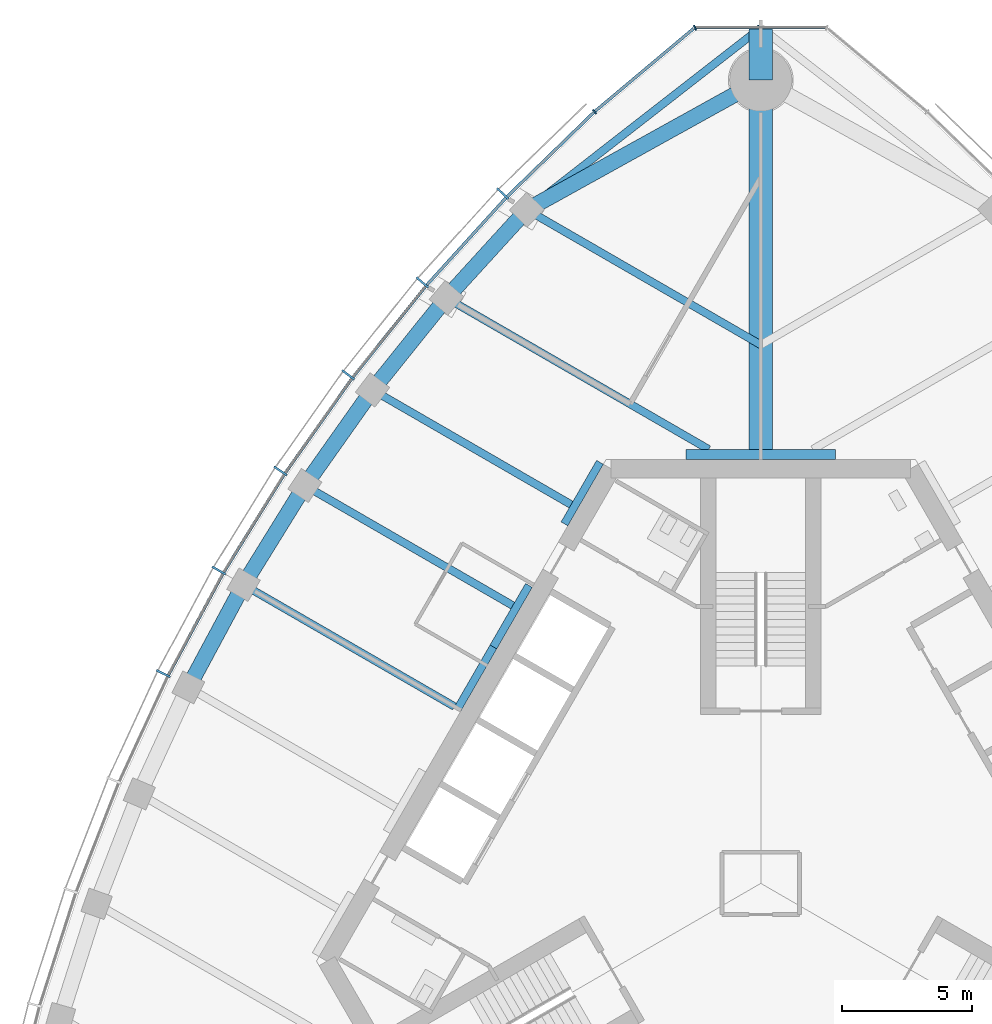
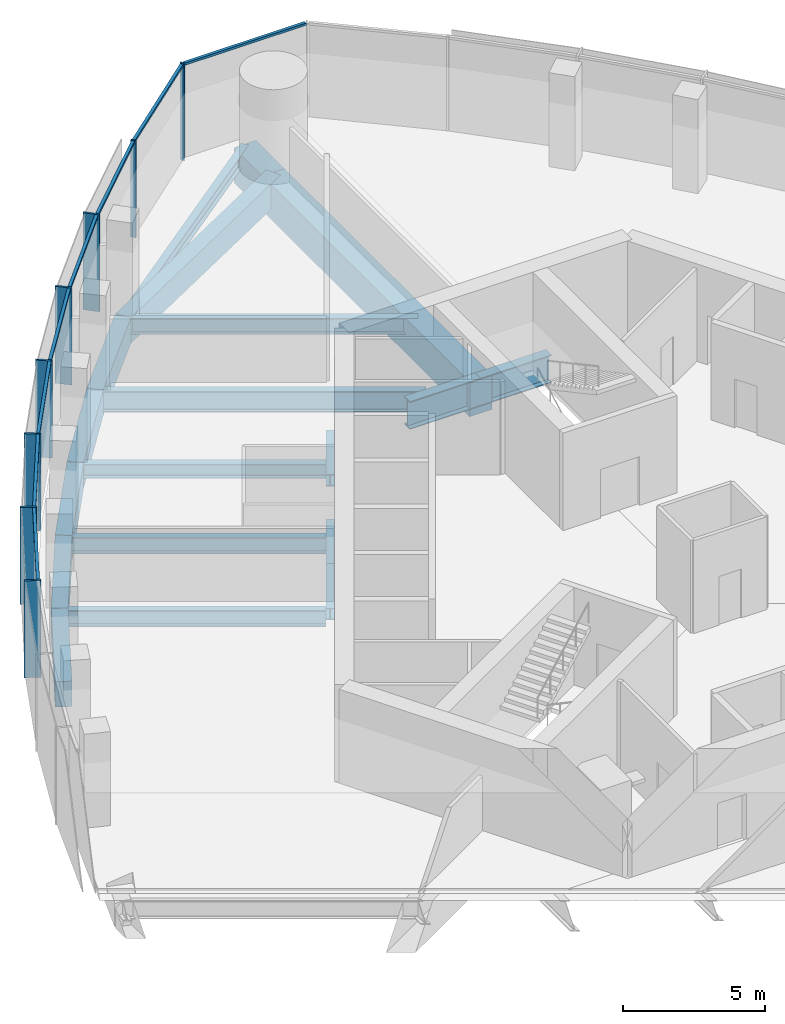
# One storey, part 5 of 16: 19 beams, 16 members, 2 elements without a shape of their own.
"""IFC4 building model written with IfcOpenShell, lengths in metres."""

from ifc_helpers import new_model, si_unit, direction, frame, origin, origin_2d, place, context, subcontext, project, spatial, rectangle, i_section, extrude, material, material_profile, profile_set, type_object, element, aggregate, save


model = new_model("IFC4")

# Units and contexts
model_context = context("Model", 3, precision=1e-05, world=origin(), true_north=direction((0.0, 1.0)))
body_context = subcontext(model_context, "Body", "Model", "MODEL_VIEW")
ifc_project = project(units=[si_unit("LENGTHUNIT", "METRE"), si_unit("AREAUNIT", "SQUARE_METRE"), si_unit("VOLUMEUNIT", "CUBIC_METRE"), si_unit("PLANEANGLEUNIT", "RADIAN"), si_unit("MASSUNIT", "GRAM", prefix="KILO")], contexts=[model_context])

# Site, building, storey
site_placement = place(None, origin())
site = spatial("IfcSite", under=ifc_project, at=site_placement, CompositionType="ELEMENT")
building_placement = place(site_placement, origin())
building = spatial("IfcBuilding", under=site, at=building_placement, Name="Trefoil Bronze Tower", CompositionType="ELEMENT")
storey_placement = place(building_placement, frame((0.0, 0.0, 293.10009765625)))
storey = spatial("IfcBuildingStorey", under=building, at=storey_placement, Name="L67", CompositionType="ELEMENT", Elevation=293.10009765625)

# Curtain wall, members
ifc_material_1 = material(Name="Tinted solar-control glass", Category="glass")
curtain_wall_type_1 = type_object("IfcCurtainWallType", Name="Bronze office curtain wall", PredefinedType="USERDEFINED", material=ifc_material_1)
curtain_wall_1_placement = place(storey_placement, origin())
curtain_wall_1 = element("IfcCurtainWall", 1, at=curtain_wall_1_placement, inside=storey, type_object=curtain_wall_type_1, Name="CW-A L67 F3", ObjectType="CURTAIN WALL", PredefinedType="USERDEFINED")
ifc_material_2 = material(Name="Bronze-finish aluminium", Category="aluminium")
ifc_material_profile_1 = material_profile(ifc_material_2, rectangle(XDim=0.60009765625, YDim=0.080078125, at=origin_2d()), Name="CW-A mullion")
ifc_profile_set_1 = profile_set([ifc_material_profile_1], Name="Bronze-finish aluminium")
member_type_1 = type_object("IfcMemberType", Name="Bronze office curtain wall mullion", PredefinedType="MULLION", material=ifc_profile_set_1)
member_1_placement = place(storey_placement, frame((-9.957275390625, 26.617431640625, 0.0), z_axis=(0.0, 0.0, 1.0), x_axis=(0.719001349715, -0.695008675564, 0.0)))
member_1 = element("IfcMember", 2, at=member_1_placement, type_object=member_type_1, Name="CW-A L67 F3 mullion 2", PredefinedType="MULLION", context=body_context, shape_type="SweptSolid", body=[
    extrude(rectangle(XDim=0.60009765625, YDim=0.080078125, at=origin_2d()), origin(), (0.0, 0.0, 1.0), 4.179931640625),
])
member_2_placement = place(storey_placement, frame((-13.064453125, 23.194091796875, 0.0), z_axis=(0.0, 0.0, 1.0), x_axis=(0.760781190165, -0.649008459646, 0.0)))
member_2 = element("IfcMember", 3, at=member_2_placement, type_object=member_type_1, Name="CW-A L67 F3 mullion 3", PredefinedType="MULLION", context=body_context, shape_type="SweptSolid", body=[
    extrude(rectangle(XDim=0.60009765625, YDim=0.080078125, at=origin_2d()), origin(), (0.0, 0.0, 1.0), 4.179931640625),
])
member_3_placement = place(storey_placement, frame((-15.922607421875, 19.627197265625, 0.0), z_axis=(0.0, 0.0, 1.0), x_axis=(0.799096076136, -0.601203344222, 0.0)))
member_3 = element("IfcMember", 4, at=member_3_placement, type_object=member_type_1, Name="CW-A L67 F3 mullion 4", PredefinedType="MULLION", context=body_context, shape_type="SweptSolid", body=[
    extrude(rectangle(XDim=0.60009765625, YDim=0.080078125, at=origin_2d()), origin(), (0.0, 0.0, 1.0), 4.179931640625),
])
member_4_placement = place(storey_placement, frame((-18.538330078125, 15.920166015625, 0.0), z_axis=(0.0, 0.0, 1.0), x_axis=(0.834159158089, -0.551523797289, 0.0)))
member_4 = element("IfcMember", 5, at=member_4_placement, type_object=member_type_1, Name="CW-A L67 F3 mullion 5", PredefinedType="MULLION", context=body_context, shape_type="SweptSolid", body=[
    extrude(rectangle(XDim=0.60009765625, YDim=0.080078125, at=origin_2d()), origin(), (0.0, 0.0, 1.0), 4.179931640625),
])
member_5_placement = place(storey_placement, frame((-20.916015625, 12.07568359375, 0.0), z_axis=(0.0, 0.0, 1.0), x_axis=(0.866025403784, -0.5, 0.0)))
member_5 = element("IfcMember", 6, at=member_5_placement, type_object=member_type_1, Name="CW-A L67 F3 mullion 6", PredefinedType="MULLION", context=body_context, shape_type="SweptSolid", body=[
    extrude(rectangle(XDim=0.60009765625, YDim=0.080078125, at=origin_2d()), origin(), (0.0, 0.0, 1.0), 4.179931640625),
])
member_6_placement = place(storey_placement, frame((-23.056396484375, 8.094482421875, 0.0), z_axis=(0.0, 0.0, 1.0), x_axis=(0.894713198289, -0.44664112306, 0.0)))
member_6 = element("IfcMember", 7, at=member_6_placement, type_object=member_type_1, Name="CW-A L67 F3 mullion 7", PredefinedType="MULLION", context=body_context, shape_type="SweptSolid", body=[
    extrude(rectangle(XDim=0.60009765625, YDim=0.080078125, at=origin_2d()), origin(), (0.0, 0.0, 1.0), 4.179931640625),
])
ifc_material_3 = material(Name="Bronze-finish aluminium", Category="aluminium")
ifc_material_profile_2 = material_profile(ifc_material_3, rectangle(XDim=0.1201171875, YDim=0.10009765625, at=origin_2d()), Name="CW-A transom")
ifc_profile_set_2 = profile_set([ifc_material_profile_2], Name="Bronze-finish aluminium")
member_type_2 = type_object("IfcMemberType", Name="Bronze office curtain wall transom", PredefinedType="USERDEFINED", material=ifc_profile_set_2)
member_7_placement = place(storey_placement, frame((-6.44921875, 29.7470703125, 4.1298828125), z_axis=(-0.717224617883, -0.696842053484, 0.0), x_axis=(0.696842053484, -0.717224617883, 0.0)))
member_7 = element("IfcMember", 8, at=member_7_placement, type_object=member_type_2, Name="CW-A L67 F3 transom 1", ObjectType="TRANSOM", PredefinedType="USERDEFINED", context=body_context, shape_type="SweptSolid", body=[
    extrude(rectangle(XDim=0.1201171875, YDim=0.10009765625, at=origin_2d()), origin(), (0.0, 0.0, 1.0), 4.6474609375),
])
member_8_placement = place(storey_placement, frame((-9.842529296875, 26.446533203125, 4.1298828125), z_axis=(-0.672068269674, -0.740489190264, 0.0), x_axis=(0.740489190264, -0.672068269674, 0.0)))
member_8 = element("IfcMember", 9, at=member_8_placement, type_object=member_type_2, Name="CW-A L67 F3 transom 2", ObjectType="TRANSOM", PredefinedType="USERDEFINED", context=body_context, shape_type="SweptSolid", body=[
    extrude(rectangle(XDim=0.1201171875, YDim=0.10009765625, at=origin_2d()), origin(), (0.0, 0.0, 1.0), 4.5244140625),
])
member_9_placement = place(storey_placement, frame((-12.939208984375, 23.03076171875, 4.1298828125), z_axis=(-0.625300648488, -0.780383943325, 0.0), x_axis=(0.780383943325, -0.625300648488, 0.0)))
member_9 = element("IfcMember", 10, at=member_9_placement, type_object=member_type_2, Name="CW-A L67 F3 transom 3", ObjectType="TRANSOM", PredefinedType="USERDEFINED", context=body_context, shape_type="SweptSolid", body=[
    extrude(rectangle(XDim=0.1201171875, YDim=0.10009765625, at=origin_2d()), origin(), (0.0, 0.0, 1.0), 4.472412109375),
])
member_10_placement = place(storey_placement, frame((-15.78759765625, 19.4716796875, 4.1298828125), z_axis=(-0.5765665752, -0.817050172488, 0.0), x_axis=(0.817050172488, -0.5765665752, 0.0)))
member_10 = element("IfcMember", 11, at=member_10_placement, type_object=member_type_2, Name="CW-A L67 F3 transom 4", ObjectType="TRANSOM", PredefinedType="USERDEFINED", context=body_context, shape_type="SweptSolid", body=[
    extrude(rectangle(XDim=0.1201171875, YDim=0.10009765625, at=origin_2d()), origin(), (0.0, 0.0, 1.0), 4.4384765625),
])
member_11_placement = place(storey_placement, frame((-18.394287109375, 15.7734375, 4.1298828125), z_axis=(-0.525978235299, -0.850498028212, 0.0), x_axis=(0.850498028212, -0.525978235299, 0.0)))
member_11 = element("IfcMember", 12, at=member_11_placement, type_object=member_type_2, Name="CW-A L67 F3 transom 5", ObjectType="TRANSOM", PredefinedType="USERDEFINED", context=body_context, shape_type="SweptSolid", body=[
    extrude(rectangle(XDim=0.1201171875, YDim=0.10009765625, at=origin_2d()), origin(), (0.0, 0.0, 1.0), 4.422119140625),
])
member_12_placement = place(storey_placement, frame((-20.76318359375, 11.93798828125, 4.1298828125), z_axis=(-0.473540024981, -0.880772300167, 0.0), x_axis=(0.880772300167, -0.473540024981, 0.0)))
member_12 = element("IfcMember", 13, at=member_12_placement, type_object=member_type_2, Name="CW-A L67 F3 transom 6", ObjectType="TRANSOM", PredefinedType="USERDEFINED", context=body_context, shape_type="SweptSolid", body=[
    extrude(rectangle(XDim=0.1201171875, YDim=0.10009765625, at=origin_2d()), origin(), (0.0, 0.0, 1.0), 4.422119140625),
])
aggregate(curtain_wall_1, [member_1, member_2, member_3, member_4, member_5, member_6, member_7, member_8, member_9, member_10, member_11, member_12])

ifc_material_4 = material(Name="Tinted solar-control glass", Category="glass")
curtain_wall_type_2 = type_object("IfcCurtainWallType", Name="Bronze rounded corner curtain wall", PredefinedType="USERDEFINED", material=ifc_material_4)
curtain_wall_2_placement = place(storey_placement, origin())
curtain_wall_2 = element("IfcCurtainWall", 14, at=curtain_wall_2_placement, inside=storey, type_object=curtain_wall_type_2, Name="CW-B L67 K2", ObjectType="CURTAIN WALL", PredefinedType="USERDEFINED")
ifc_material_5 = material(Name="Bronze-finish aluminium", Category="aluminium")
ifc_material_profile_3 = material_profile(ifc_material_5, rectangle(XDim=0.199951171875, YDim=0.06005859375, at=origin_2d()), Name="CW-B mullion")
ifc_profile_set_3 = profile_set([ifc_material_profile_3], Name="Bronze-finish aluminium")
member_type_3 = type_object("IfcMemberType", Name="Bronze rounded corner curtain wall mullion", PredefinedType="MULLION", material=ifc_profile_set_3)
member_13_placement = place(storey_placement, frame((-2.542236328125, 33.021484375, 0.0), z_axis=(0.0, 0.0, 1.0), x_axis=(0.342020143326, -0.939692620786, 0.0)))
member_13 = element("IfcMember", 15, at=member_13_placement, type_object=member_type_3, Name="CW-B L67 K2 mullion 3", PredefinedType="MULLION", context=body_context, shape_type="SweptSolid", body=[
    extrude(rectangle(XDim=0.199951171875, YDim=0.06005859375, at=origin_2d()), origin(), (0.0, 0.0, 1.0), 4.179931640625),
])
member_14_placement = place(storey_placement, frame((-6.4150390625, 29.77978515625, 0.0), z_axis=(0.0, 0.0, 1.0), x_axis=(0.642787609687, -0.766044443119, 0.0)))
member_14 = element("IfcMember", 16, at=member_14_placement, type_object=member_type_3, Name="CW-B L67 K2 mullion 4", PredefinedType="MULLION", context=body_context, shape_type="SweptSolid", body=[
    extrude(rectangle(XDim=0.199951171875, YDim=0.06005859375, at=origin_2d()), origin(), (0.0, 0.0, 1.0), 4.179931640625),
])
ifc_material_6 = material(Name="Bronze-finish aluminium", Category="aluminium")
ifc_material_profile_4 = material_profile(ifc_material_6, rectangle(XDim=0.1201171875, YDim=0.10009765625, at=origin_2d()), Name="CW-B transom")
ifc_profile_set_4 = profile_set([ifc_material_profile_4], Name="Bronze-finish aluminium")
member_type_4 = type_object("IfcMemberType", Name="Bronze rounded corner curtain wall transom", PredefinedType="USERDEFINED", material=ifc_profile_set_4)
member_15_placement = place(storey_placement, frame((2.47802734375, 33.027587890625, 4.1298828125), z_axis=(-1.0, 0.0, 0.0), x_axis=(0.0, -1.0, 0.0)))
member_15 = element("IfcMember", 17, at=member_15_placement, type_object=member_type_4, Name="CW-B L67 K2 transom 2", ObjectType="TRANSOM", PredefinedType="USERDEFINED", context=body_context, shape_type="SweptSolid", body=[
    extrude(rectangle(XDim=0.1201171875, YDim=0.10009765625, at=origin_2d()), origin(), (0.0, 0.0, 1.0), 4.9560546875),
])
member_16_placement = place(storey_placement, frame((-2.595458984375, 32.98486328125, 4.1298828125), z_axis=(-0.766040522511, -0.642792282056, 0.0), x_axis=(0.642792282056, -0.766040522511, 0.0)))
member_16 = element("IfcMember", 18, at=member_16_placement, type_object=member_type_4, Name="CW-B L67 K2 transom 3", ObjectType="TRANSOM", PredefinedType="USERDEFINED", context=body_context, shape_type="SweptSolid", body=[
    extrude(rectangle(XDim=0.1201171875, YDim=0.10009765625, at=origin_2d()), origin(), (0.0, 0.0, 1.0), 4.9560546875),
])
aggregate(curtain_wall_2, [member_13, member_14, member_15, member_16])

# Beams
ifc_material_7 = material(Name="Steel C355", Category="steel")
ifc_material_profile_5 = material_profile(ifc_material_7, i_section(OverallWidth=0.300048828125, OverallDepth=0.5, WebThickness=0.014404296875, FlangeThickness=0.028076171875, FilletRadius=0.027099609375, at=origin_2d()), Name="HEB 500")
ifc_profile_set_5 = profile_set([ifc_material_profile_5], Name="Steel C355")
beam_type_1 = type_object("IfcBeamType", Name="Core seat beam HEB 500", PredefinedType="BEAM", material=ifc_profile_set_5)
for number, where, z_axis, x_axis, name in (
    (19, (-6.20654296875, 16.25, -0.4501953125), (-0.499969057507, -0.866043267704, 0.0), (0.866043267704, -0.499969057507, 0.0), "Core seat beam F3/-2 L67"),
    (20, (-8.948974609375, 11.5, -0.4501953125), (-0.499969057507, -0.866043267704, 0.0), (0.866043267704, -0.499969057507, 0.0), "Core seat beam F3/-1 L67"),
    (21, (-10.320068359375, 9.125, -0.4501953125), (-0.500035825175, -0.866004719122, 0.0), (0.866004719122, -0.500035825175, 0.0), "Core seat beam F3/+0 L67"),
):
    element("IfcBeam", number, at=place(storey_placement, frame(where, z_axis=z_axis, x_axis=x_axis)), inside=storey, type_object=beam_type_1, Name=name, PredefinedType="BEAM", context=body_context, shape_type="SweptSolid", body=[
        extrude(i_section(OverallWidth=0.300048828125, OverallDepth=0.5, WebThickness=0.014404296875, FlangeThickness=0.028076171875, FilletRadius=0.027099609375, at=origin_2d()), origin(), (0.0, 0.0, 1.0), 2.742431640625),
    ])
ifc_material_8 = material(Name="Steel C355", Category="steel")
ifc_material_profile_6 = material_profile(ifc_material_8, i_section(OverallWidth=0.39990234375, OverallDepth=1.199951171875, WebThickness=0.02001953125, FlangeThickness=0.0400390625, FilletRadius=0.010009765625, at=origin_2d()), Name="WPG 1200")
ifc_profile_set_6 = profile_set([ifc_material_profile_6], Name="Steel C355")
beam_type_2 = type_object("IfcBeamType", Name="Core seat beam WPG 1200", PredefinedType="BEAM", material=ifc_profile_set_6)
for number, where, z_axis, x_axis, name in (
    (22, (2.88671875, 16.550048828125, -0.800048828125), (-1.0, 0.0, 0.0), (0.0, -1.0, 0.0), "Core seat beam F2/+3 L67"),
    (23, (0.0, 16.550048828125, -0.800048828125), (-1.0, 0.0, 0.0), (0.0, -1.0, 0.0), "Core seat beam F3/-3 L67"),
):
    element("IfcBeam", number, at=place(storey_placement, frame(where, z_axis=z_axis, x_axis=x_axis)), inside=storey, type_object=beam_type_2, Name=name, PredefinedType="BEAM", context=body_context, shape_type="SweptSolid", body=[
        extrude(i_section(OverallWidth=0.39990234375, OverallDepth=1.199951171875, WebThickness=0.02001953125, FlangeThickness=0.0400390625, FilletRadius=0.010009765625, at=origin_2d()), origin(), (0.0, 0.0, 1.0), 2.88671875),
    ])
ifc_material_9 = material(Name="Concrete B80", Category="concrete")
ifc_material_profile_7 = material_profile(ifc_material_9, rectangle(XDim=0.89990234375, YDim=1.5, at=origin_2d()), Name="RC 900x1500")
ifc_profile_set_7 = profile_set([ifc_material_profile_7], Name="Concrete B80")
beam_type_3 = type_object("IfcBeamType", Name="Corner cantilever RC 900x1500", PredefinedType="BEAM", material=ifc_profile_set_7)
beam_1_placement = place(storey_placement, frame((0.0, 31.0, -0.9501953125), z_axis=(0.0, 1.0, 0.0), x_axis=(-1.0, 0.0, 0.0)))
element("IfcBeam", 24, at=beam_1_placement, inside=storey, type_object=beam_type_3, Name="Corner cantilever K2 L67", PredefinedType="BEAM", context=body_context, shape_type="SweptSolid", body=[
    extrude(rectangle(XDim=0.89990234375, YDim=1.5, at=origin_2d()), origin(), (0.0, 0.0, 1.0), 2.019775390625),
])
ifc_material_10 = material(Name="Steel C355", Category="steel")
ifc_material_profile_8 = material_profile(ifc_material_10, i_section(OverallWidth=0.300048828125, OverallDepth=0.60009765625, WebThickness=0.015380859375, FlangeThickness=0.030029296875, FilletRadius=0.027099609375, at=origin_2d()), Name="HEB 600")
ifc_profile_set_8 = profile_set([ifc_material_profile_8], Name="Steel C355")
beam_type_4 = type_object("IfcBeamType", Name="Corner edge beam HEB 600", PredefinedType="BEAM", material=ifc_profile_set_8)
beam_2_placement = place(storey_placement, frame((-9.02734375, 25.99658203125, -0.5), z_axis=(0.789270604977, 0.614045529354, 0.0), x_axis=(-0.614045529354, 0.789270604977, 0.0)))
element("IfcBeam", 25, at=beam_2_placement, inside=storey, type_object=beam_type_4, Name="Corner edge beam F3B L67", PredefinedType="BEAM", context=body_context, shape_type="SweptSolid", body=[
    extrude(i_section(OverallWidth=0.300048828125, OverallDepth=0.60009765625, WebThickness=0.015380859375, FlangeThickness=0.030029296875, FilletRadius=0.027099609375, at=origin_2d()), origin(), (0.0, 0.0, 1.0), 11.4375),
])
ifc_material_11 = material(Name="Concrete B80", Category="concrete")
ifc_material_profile_9 = material_profile(ifc_material_11, rectangle(XDim=0.89990234375, YDim=1.5, at=origin_2d()), Name="RC 900x1500")
ifc_profile_set_9 = profile_set([ifc_material_profile_9], Name="Concrete B80")
beam_type_5 = type_object("IfcBeamType", Name="Corner girder RC 900x1500", PredefinedType="BEAM", material=ifc_profile_set_9)
beam_3_placement = place(storey_placement, frame((0.0, 16.35009765625, -0.9501953125), z_axis=(0.0, 1.0, 0.0), x_axis=(-1.0, 0.0, 0.0)))
element("IfcBeam", 26, at=beam_3_placement, inside=storey, type_object=beam_type_5, Name="Corner girder K2 L67", PredefinedType="BEAM", context=body_context, shape_type="SweptSolid", body=[
    extrude(rectangle(XDim=0.89990234375, YDim=1.5, at=origin_2d()), origin(), (0.0, 0.0, 1.0), 14.64990234375),
])
ifc_material_12 = material(Name="Concrete B80", Category="concrete")
ifc_material_profile_10 = material_profile(ifc_material_12, rectangle(XDim=0.60009765625, YDim=1.10009765625, at=origin_2d()), Name="RC 600x1100")
ifc_profile_set_10 = profile_set([ifc_material_profile_10], Name="Concrete B80")
beam_type_6 = type_object("IfcBeamType", Name="End spandrel beam RC 600x1100", PredefinedType="SPANDREL", material=ifc_profile_set_10)
beam_4_placement = place(storey_placement, frame((0.0, 31.0, -0.75), z_axis=(-0.874641085074, -0.484771051426, 0.0), x_axis=(0.484771051426, -0.874641085074, 0.0)))
element("IfcBeam", 27, at=beam_4_placement, inside=storey, type_object=beam_type_6, Name="Spandrel F3.1 L67", PredefinedType="SPANDREL", context=body_context, shape_type="SweptSolid", body=[
    extrude(rectangle(XDim=0.60009765625, YDim=1.10009765625, at=origin_2d()), origin(), (0.0, 0.0, 1.0), 10.3212890625),
])
ifc_material_13 = material(Name="Steel C355", Category="steel")
ifc_material_profile_11 = material_profile(ifc_material_13, i_section(OverallWidth=0.300048828125, OverallDepth=0.60009765625, WebThickness=0.015380859375, FlangeThickness=0.030029296875, FilletRadius=0.027099609375, at=origin_2d()), Name="HEB 600")
ifc_profile_set_11 = profile_set([ifc_material_profile_11], Name="Steel C355")
beam_type_7 = type_object("IfcBeamType", Name="Floor beam HEB 600", PredefinedType="BEAM", material=ifc_profile_set_11)
beam_5_placement = place(storey_placement, frame((-14.98486328125, 19.043701171875, -0.5), z_axis=(0.866025701847, -0.499999483739, 0.0), x_axis=(0.499999483739, 0.866025701847, 0.0)))
element("IfcBeam", 28, at=beam_5_placement, inside=storey, type_object=beam_type_7, Name="Floor beam F3/-2 L67", PredefinedType="BEAM", context=body_context, shape_type="SweptSolid", body=[
    extrude(i_section(OverallWidth=0.300048828125, OverallDepth=0.60009765625, WebThickness=0.015380859375, FlangeThickness=0.030029296875, FilletRadius=0.027099609375, at=origin_2d()), origin(), (0.0, 0.0, 1.0), 8.84912109375),
])
ifc_material_14 = material(Name="Steel C355", Category="steel")
ifc_material_profile_12 = material_profile(ifc_material_14, i_section(OverallWidth=0.300048828125, OverallDepth=0.699951171875, WebThickness=0.01708984375, FlangeThickness=0.031982421875, FilletRadius=0.027099609375, at=origin_2d()), Name="HEB 700")
ifc_profile_set_12 = profile_set([ifc_material_profile_12], Name="Steel C355")
beam_type_8 = type_object("IfcBeamType", Name="Floor beam HEB 700", PredefinedType="BEAM", material=ifc_profile_set_12)
beam_6_placement = place(storey_placement, frame((-9.02734375, 25.99658203125, -0.550048828125), z_axis=(0.866026453994, -0.499998180979, 0.0), x_axis=(0.499998180979, 0.866026453994, 0.0)))
element("IfcBeam", 29, at=beam_6_placement, inside=storey, type_object=beam_type_8, Name="Floor beam F3/-4 L67", PredefinedType="BEAM", context=body_context, shape_type="SweptSolid", body=[
    extrude(i_section(OverallWidth=0.300048828125, OverallDepth=0.699951171875, WebThickness=0.01708984375, FlangeThickness=0.031982421875, FilletRadius=0.027099609375, at=origin_2d()), origin(), (0.0, 0.0, 1.0), 10.423828125),
])
beam_7_placement = place(storey_placement, frame((-17.593994140625, 15.35400390625, -0.550048828125), z_axis=(0.866028909405, -0.499993928037, 0.0), x_axis=(0.499993928037, 0.866028909405, 0.0)))
element("IfcBeam", 30, at=beam_7_placement, inside=storey, type_object=beam_type_8, Name="Floor beam F3/-1 L67", PredefinedType="BEAM", context=body_context, shape_type="SweptSolid", body=[
    extrude(i_section(OverallWidth=0.300048828125, OverallDepth=0.699951171875, WebThickness=0.01708984375, FlangeThickness=0.031982421875, FilletRadius=0.027099609375, at=origin_2d()), origin(), (0.0, 0.0, 1.0), 9.263671875),
])
beam_8_placement = place(storey_placement, frame((-19.96337890625, 11.52587890625, -0.550048828125), z_axis=(0.866021259968, -0.500007177232, 0.0), x_axis=(0.500007177232, 0.866021259968, 0.0)))
element("IfcBeam", 31, at=beam_8_placement, inside=storey, type_object=beam_type_8, Name="Floor beam F3/+0 L67", PredefinedType="BEAM", context=body_context, shape_type="SweptSolid", body=[
    extrude(i_section(OverallWidth=0.300048828125, OverallDepth=0.699951171875, WebThickness=0.01708984375, FlangeThickness=0.031982421875, FilletRadius=0.027099609375, at=origin_2d()), origin(), (0.0, 0.0, 1.0), 9.401611328125),
])
ifc_material_15 = material(Name="Steel C355", Category="steel")
ifc_material_profile_13 = material_profile(ifc_material_15, i_section(OverallWidth=0.300048828125, OverallDepth=0.89990234375, WebThickness=0.0185546875, FlangeThickness=0.034912109375, FilletRadius=0.030029296875, at=origin_2d()), Name="HEB 900")
ifc_profile_set_13 = profile_set([ifc_material_profile_13], Name="Steel C355")
beam_type_9 = type_object("IfcBeamType", Name="Floor beam HEB 900", PredefinedType="BEAM", material=ifc_profile_set_13)
beam_9_placement = place(storey_placement, frame((-12.131591796875, 22.5927734375, -0.650146484375), z_axis=(0.866017882563, -0.500013026912, 0.0), x_axis=(0.500013026912, 0.866017882563, 0.0)))
element("IfcBeam", 32, at=beam_9_placement, inside=storey, type_object=beam_type_9, Name="Floor beam F3/-3 L67", PredefinedType="BEAM", context=body_context, shape_type="SweptSolid", body=[
    extrude(i_section(OverallWidth=0.300048828125, OverallDepth=0.89990234375, WebThickness=0.0185546875, FlangeThickness=0.034912109375, FilletRadius=0.030029296875, at=origin_2d()), origin(), (0.0, 0.0, 1.0), 11.685302734375),
])
ifc_material_16 = material(Name="Concrete B80", Category="concrete")
ifc_material_profile_14 = material_profile(ifc_material_16, rectangle(XDim=0.60009765625, YDim=1.10009765625, at=origin_2d()), Name="RC 600x1100")
ifc_profile_set_14 = profile_set([ifc_material_profile_14], Name="Concrete B80")
beam_type_10 = type_object("IfcBeamType", Name="Spandrel beam RC 600x1100", PredefinedType="SPANDREL", material=ifc_profile_set_14)
beam_10_placement = place(storey_placement, frame((-9.02734375, 25.99658203125, -0.75), z_axis=(-0.673845775847, -0.738872025707, 0.0), x_axis=(0.738872025707, -0.673845775847, 0.0)))
element("IfcBeam", 33, at=beam_10_placement, inside=storey, type_object=beam_type_10, Name="Spandrel F3.2 L67", PredefinedType="SPANDREL", context=body_context, shape_type="SweptSolid", body=[
    extrude(rectangle(XDim=0.60009765625, YDim=1.10009765625, at=origin_2d()), origin(), (0.0, 0.0, 1.0), 4.606689453125),
])
beam_11_placement = place(storey_placement, frame((-12.131591796875, 22.5927734375, -0.75), z_axis=(-0.626569682592, -0.779365403939, 0.0), x_axis=(0.779365403939, -0.626569682592, 0.0)))
element("IfcBeam", 34, at=beam_11_placement, inside=storey, type_object=beam_type_10, Name="Spandrel F3.3 L67", PredefinedType="SPANDREL", context=body_context, shape_type="SweptSolid", body=[
    extrude(rectangle(XDim=0.60009765625, YDim=1.10009765625, at=origin_2d()), origin(), (0.0, 0.0, 1.0), 4.5537109375),
])
beam_12_placement = place(storey_placement, frame((-14.98486328125, 19.043701171875, -0.75), z_axis=(-0.577368105169, -0.816483968693, 0.0), x_axis=(0.816483968693, -0.577368105169, 0.0)))
element("IfcBeam", 35, at=beam_12_placement, inside=storey, type_object=beam_type_10, Name="Spandrel F3.4 L67", PredefinedType="SPANDREL", context=body_context, shape_type="SweptSolid", body=[
    extrude(rectangle(XDim=0.60009765625, YDim=1.10009765625, at=origin_2d()), origin(), (0.0, 0.0, 1.0), 4.51904296875),
])
beam_13_placement = place(storey_placement, frame((-17.593994140625, 15.35400390625, -0.75), z_axis=(-0.526289271956, -0.850305593433, 0.0), x_axis=(0.850305593433, -0.526289271956, 0.0)))
element("IfcBeam", 36, at=beam_13_placement, inside=storey, type_object=beam_type_10, Name="Spandrel F3.5 L67", PredefinedType="SPANDREL", context=body_context, shape_type="SweptSolid", body=[
    extrude(rectangle(XDim=0.60009765625, YDim=1.10009765625, at=origin_2d()), origin(), (0.0, 0.0, 1.0), 4.501953125),
])
beam_14_placement = place(storey_placement, frame((-19.96337890625, 11.52587890625, -0.75), z_axis=(-0.473245885676, -0.880930378458, 0.0), x_axis=(0.880930378458, -0.473245885676, 0.0)))
element("IfcBeam", 37, at=beam_14_placement, inside=storey, type_object=beam_type_10, Name="Spandrel F3.6 L67", PredefinedType="SPANDREL", context=body_context, shape_type="SweptSolid", body=[
    extrude(rectangle(XDim=0.60009765625, YDim=1.10009765625, at=origin_2d()), origin(), (0.0, 0.0, 1.0), 4.502197265625),
])

save(model, "model.ifc")
